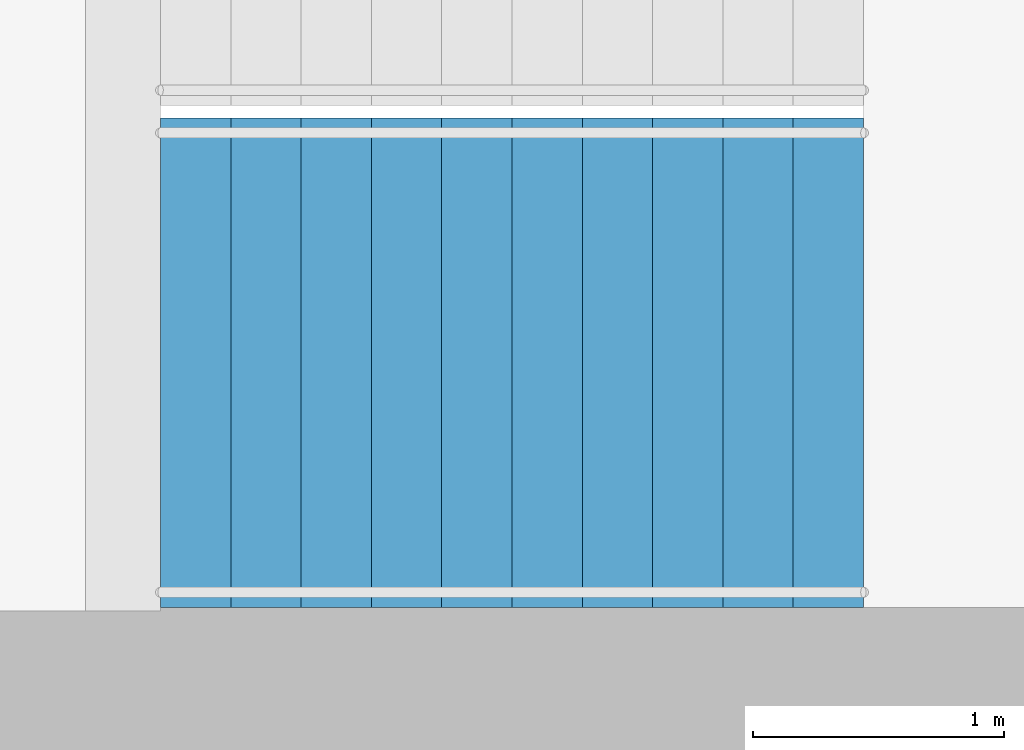
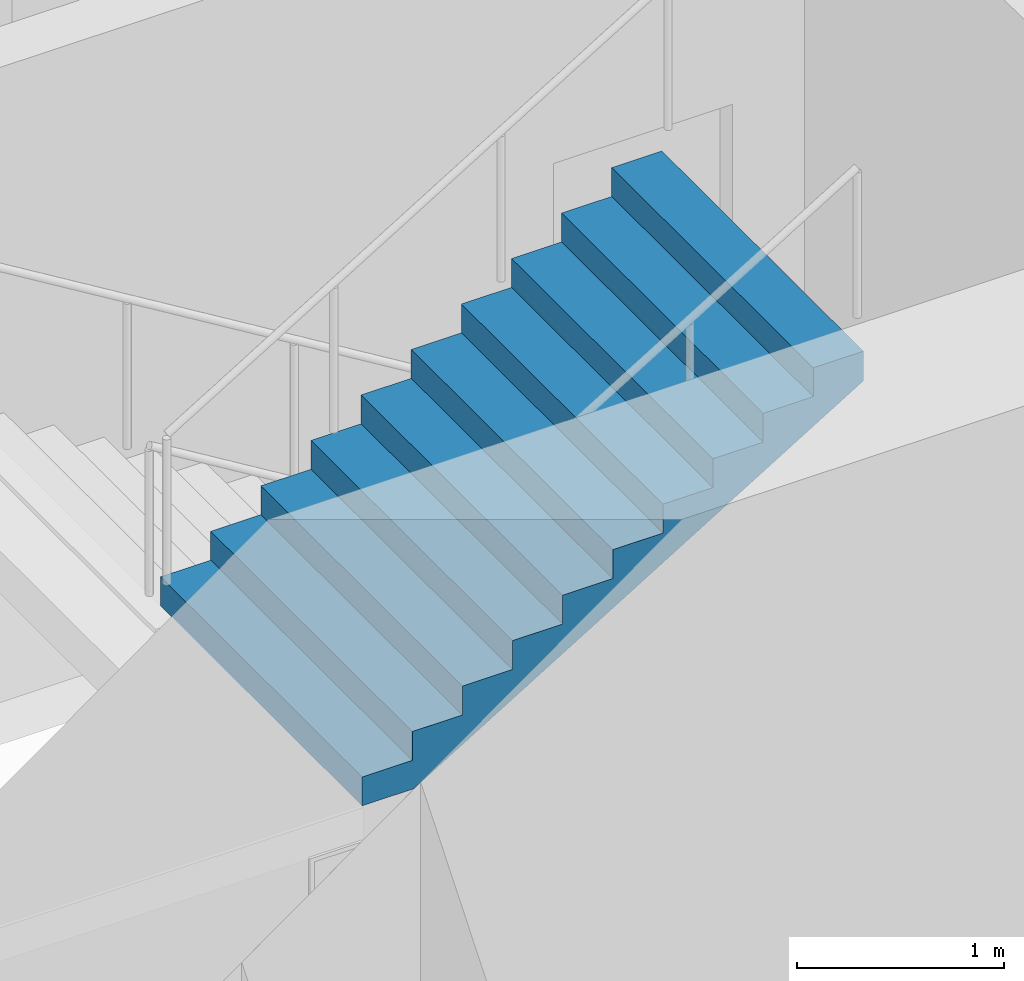
# One storey, part 22 of 24: 1 stair flight, 1 element without a shape of its own.
"""IFC4 building model written with IfcOpenShell, lengths in metres."""

from ifc_helpers import new_model, si_unit, direction, frame, origin, place, context, subcontext, project, spatial, triangles, material, type_object, element, aggregate, save


model = new_model("IFC4")

# Units and contexts
model_context = context("Model", 3, precision=1e-05, world=origin(), true_north=direction((0.0, 1.0)))
body_context = subcontext(model_context, "Body", "Model", "MODEL_VIEW")
ifc_project = project(units=[si_unit("LENGTHUNIT", "METRE"), si_unit("AREAUNIT", "SQUARE_METRE"), si_unit("VOLUMEUNIT", "CUBIC_METRE"), si_unit("PLANEANGLEUNIT", "RADIAN"), si_unit("MASSUNIT", "GRAM", prefix="KILO")], contexts=[model_context])

# Site, building, storey
site_placement = place(None, origin())
site = spatial("IfcSite", under=ifc_project, at=site_placement, CompositionType="ELEMENT")
building_placement = place(site_placement, origin())
building = spatial("IfcBuilding", under=site, at=building_placement, Name="Orbita Commons", CompositionType="ELEMENT")
storey_placement = place(building_placement, frame((0.0, 0.0, 27.699951171875)))
storey = spatial("IfcBuildingStorey", under=building, at=storey_placement, Name="L06", CompositionType="ELEMENT", Elevation=27.699951171875)

# Stair, stair flight
ifc_material_1 = material(Name="Precast concrete C40/50", Category="concrete")
stair_type = type_object("IfcStairType", Name="Exit stair S2 2 flights 11 risers 170", PredefinedType="HALF_TURN_STAIR", material=ifc_material_1)
stair_placement = place(storey_placement, origin())
stair = element("IfcStair", 1, at=stair_placement, inside=storey, type_object=stair_type, Name="Exit stair S2 L06", PredefinedType="HALF_TURN_STAIR")
ifc_material_2 = material(Name="Precast concrete C40/50", Category="concrete")
stair_flight_type = type_object("IfcStairFlightType", Name="Stair flight 11 risers 170 x 280", PredefinedType="STRAIGHT", material=ifc_material_2)
stair_flight_placement = place(storey_placement, frame((60.75, 27.27490234375, 1.875), z_axis=(0.0, 0.0, 1.0), x_axis=(1.0, 0.0, 0.0)))
stair_flight = element("IfcStairFlight", 2, at=stair_flight_placement, type_object=stair_flight_type, Name="S2 flight 2", NumberOfRisers=11, NumberOfTreads=10, PredefinedType="STRAIGHT", RiserHeight=0.170454545, TreadLength=0.28, context=body_context, shape_type="Tessellation", body=[
    triangles([(0.0, 0.974976, 0.0), (0.0, 0.974976, 0.021307), (0.0, 0.81248, 0.021307), (0.0, 0.81248, 0.0), (0.0, 0.649984, 0.021307), (0.0, 0.649984, 0.0), (0.0, 0.487488, 0.021307), (0.0, 0.487488, 0.0), (0.0, 0.324992, 0.021307), (0.0, 0.324992, 0.0), (0.0, 0.162496, 0.021307), (0.0, 0.162496, 0.0), (0.0, 0.0, 0.021307), (0.0, 0.0, 0.0), (0.0, -0.162496, 0.021307), (0.0, -0.162496, 0.0), (0.0, -0.324992, 0.021307), (0.0, -0.324992, 0.0), (0.0, -0.487488, 0.021307), (0.0, -0.487488, 0.0), (0.0, -0.649984, 0.021307), (0.0, -0.649984, 0.0), (0.0, -0.81248, 0.021307), (0.0, -0.81248, 0.0), (0.0, -0.974976, 0.021307), (0.0, -0.974976, 0.0), (0.0, 0.974976, 0.042614), (0.0, 0.81248, 0.042614), (0.0, 0.649984, 0.042614), (0.0, 0.487488, 0.042614), (0.0, 0.324992, 0.042614), (0.0, 0.162496, 0.042614), (0.0, 0.0, 0.042614), (0.0, -0.162496, 0.042614), (0.0, -0.324992, 0.042614), (0.0, -0.487488, 0.042614), (0.0, -0.649984, 0.042614), (0.0, -0.81248, 0.042614), (0.0, -0.974976, 0.042614), (0.0, 0.974976, 0.06392), (0.0, 0.81248, 0.06392), (0.0, 0.649984, 0.06392), (0.0, 0.487488, 0.06392), (0.0, 0.324992, 0.06392), (0.0, 0.162496, 0.06392), (0.0, 0.0, 0.06392), (0.0, -0.162496, 0.06392), (0.0, -0.324992, 0.06392), (0.0, -0.487488, 0.06392), (0.0, -0.649984, 0.06392), (0.0, -0.81248, 0.06392), (0.0, -0.974976, 0.06392), (0.0, 0.974976, 0.085227), (0.0, 0.81248, 0.085227), (0.0, 0.649984, 0.085227), (0.0, 0.487488, 0.085227), (0.0, 0.324992, 0.085227), (0.0, 0.162496, 0.085227), (0.0, 0.0, 0.085227), (0.0, -0.162496, 0.085227), (0.0, -0.324992, 0.085227), (0.0, -0.487488, 0.085227), (0.0, -0.649984, 0.085227), (0.0, -0.81248, 0.085227), (0.0, -0.974976, 0.085227), (0.0, 0.974976, 0.106534), (0.0, 0.81248, 0.106534), (0.0, 0.649984, 0.106534), (0.0, 0.487488, 0.106534), (0.0, 0.324992, 0.106534), (0.0, 0.162496, 0.106534), (0.0, 0.0, 0.106534), (0.0, -0.162496, 0.106534), (0.0, -0.324992, 0.106534), (0.0, -0.487488, 0.106534), (0.0, -0.649984, 0.106534), (0.0, -0.81248, 0.106534), (0.0, -0.974976, 0.106534), (0.0, 0.974976, 0.127841), (0.0, 0.81248, 0.127841), (0.0, 0.649984, 0.127841), (0.0, 0.487488, 0.127841), (0.0, 0.324992, 0.127841), (0.0, 0.162496, 0.127841), (0.0, 0.0, 0.127841), (0.0, -0.162496, 0.127841), (0.0, -0.324992, 0.127841), (0.0, -0.487488, 0.127841), (0.0, -0.649984, 0.127841), (0.0, -0.81248, 0.127841), (0.0, -0.974976, 0.127841), (0.0, 0.974976, 0.149148), (0.0, 0.81248, 0.149148), (0.0, 0.649984, 0.149148), (0.0, 0.487488, 0.149148), (0.0, 0.324992, 0.149148), (0.0, 0.162496, 0.149148), (0.0, 0.0, 0.149148), (0.0, -0.162496, 0.149148), (0.0, -0.324992, 0.149148), (0.0, -0.487488, 0.149148), (0.0, -0.649984, 0.149148), (0.0, -0.81248, 0.149148), (0.0, -0.974976, 0.149148), (0.0, 0.974976, 0.170455), (0.0, 0.81248, 0.170455), (0.0, 0.649984, 0.170455), (0.0, 0.487488, 0.170455), (0.0, 0.324992, 0.170455), (0.0, 0.162496, 0.170455), (0.0, 0.0, 0.170455), (0.0, -0.162496, 0.170455), (0.0, -0.324992, 0.170455), (0.0, -0.487488, 0.170455), (0.0, -0.649984, 0.170455), (0.0, -0.81248, 0.170455), (0.0, -0.974976, 0.170455), (0.28, 0.974976, 0.170455), (0.28, 0.81248, 0.170455), (0.28, 0.649984, 0.170455), (0.28, 0.487488, 0.170455), (0.28, 0.324992, 0.170455), (0.28, 0.162496, 0.170455), (0.28, 0.0, 0.170455), (0.28, -0.162496, 0.170455), (0.28, -0.324992, 0.170455), (0.28, -0.487488, 0.170455), (0.28, -0.649984, 0.170455), (0.28, -0.81248, 0.170455), (0.28, -0.974976, 0.170455), (0.28, 0.974976, 0.340909), (0.28, 0.81248, 0.340909), (0.28, 0.649984, 0.340909), (0.28, 0.487488, 0.340909), (0.28, 0.324992, 0.340909), (0.28, 0.162496, 0.340909), (0.28, 0.0, 0.340909), (0.28, -0.162496, 0.340909), (0.28, -0.324992, 0.340909), (0.28, -0.487488, 0.340909), (0.28, -0.649984, 0.340909), (0.28, -0.81248, 0.340909), (0.28, -0.974976, 0.340909), (0.56, 0.974976, 0.340909), (0.56, 0.81248, 0.340909), (0.56, 0.649984, 0.340909), (0.56, 0.487488, 0.340909), (0.56, 0.324992, 0.340909), (0.56, 0.162496, 0.340909), (0.56, 0.0, 0.340909), (0.56, -0.162496, 0.340909), (0.56, -0.324992, 0.340909), (0.56, -0.487488, 0.340909), (0.56, -0.649984, 0.340909), (0.56, -0.81248, 0.340909), (0.56, -0.974976, 0.340909), (0.56, 0.974976, 0.511364), (0.56, 0.81248, 0.511364), (0.56, 0.649984, 0.511364), (0.56, 0.487488, 0.511364), (0.56, 0.324992, 0.511364), (0.56, 0.162496, 0.511364), (0.56, 0.0, 0.511364), (0.56, -0.162496, 0.511364), (0.56, -0.324992, 0.511364), (0.56, -0.487488, 0.511364), (0.56, -0.649984, 0.511364), (0.56, -0.81248, 0.511364), (0.56, -0.974976, 0.511364), (0.84, 0.974976, 0.511364), (0.84, 0.81248, 0.511364), (0.84, 0.649984, 0.511364), (0.84, 0.487488, 0.511364), (0.84, 0.324992, 0.511364), (0.84, 0.162496, 0.511364), (0.84, 0.0, 0.511364), (0.84, -0.162496, 0.511364), (0.84, -0.324992, 0.511364), (0.84, -0.487488, 0.511364), (0.84, -0.649984, 0.511364), (0.84, -0.81248, 0.511364), (0.84, -0.974976, 0.511364), (0.84, 0.974976, 0.681818), (0.84, 0.81248, 0.681818), (0.84, 0.649984, 0.681818), (0.84, 0.487488, 0.681818), (0.84, 0.324992, 0.681818), (0.84, 0.162496, 0.681818), (0.84, 0.0, 0.681818), (0.84, -0.162496, 0.681818), (0.84, -0.324992, 0.681818), (0.84, -0.487488, 0.681818), (0.84, -0.649984, 0.681818), (0.84, -0.81248, 0.681818), (0.84, -0.974976, 0.681818), (1.12, 0.974976, 0.681818), (1.12, 0.81248, 0.681818), (1.12, 0.649984, 0.681818), (1.12, 0.487488, 0.681818), (1.12, 0.324992, 0.681818), (1.12, 0.162496, 0.681818), (1.12, 0.0, 0.681818), (1.12, -0.162496, 0.681818), (1.12, -0.324992, 0.681818), (1.12, -0.487488, 0.681818), (1.12, -0.649984, 0.681818), (1.12, -0.81248, 0.681818), (1.12, -0.974976, 0.681818), (1.12, 0.974976, 0.852273), (1.12, 0.81248, 0.852273), (1.12, 0.649984, 0.852273), (1.12, 0.487488, 0.852273), (1.12, 0.324992, 0.852273), (1.12, 0.162496, 0.852273), (1.12, 0.0, 0.852273), (1.12, -0.162496, 0.852273), (1.12, -0.324992, 0.852273), (1.12, -0.487488, 0.852273), (1.12, -0.649984, 0.852273), (1.12, -0.81248, 0.852273), (1.12, -0.974976, 0.852273), (1.4, 0.974976, 0.852273), (1.4, 0.81248, 0.852273), (1.4, 0.649984, 0.852273), (1.4, 0.487488, 0.852273), (1.4, 0.324992, 0.852273), (1.4, 0.162496, 0.852273), (1.4, 0.0, 0.852273), (1.4, -0.162496, 0.852273), (1.4, -0.324992, 0.852273), (1.4, -0.487488, 0.852273), (1.4, -0.649984, 0.852273), (1.4, -0.81248, 0.852273), (1.4, -0.974976, 0.852273), (1.4, 0.974976, 1.022727), (1.4, 0.81248, 1.022727), (1.4, 0.649984, 1.022727), (1.4, 0.487488, 1.022727), (1.4, 0.324992, 1.022727), (1.4, 0.162496, 1.022727), (1.4, 0.0, 1.022727), (1.4, -0.162496, 1.022727), (1.4, -0.324992, 1.022727), (1.4, -0.487488, 1.022727), (1.4, -0.649984, 1.022727), (1.4, -0.81248, 1.022727), (1.4, -0.974976, 1.022727), (1.68, 0.974976, 1.022727), (1.68, 0.81248, 1.022727), (1.68, 0.649984, 1.022727), (1.68, 0.487488, 1.022727), (1.68, 0.324992, 1.022727), (1.68, 0.162496, 1.022727), (1.68, 0.0, 1.022727), (1.68, -0.162496, 1.022727), (1.68, -0.324992, 1.022727), (1.68, -0.487488, 1.022727), (1.68, -0.649984, 1.022727), (1.68, -0.81248, 1.022727), (1.68, -0.974976, 1.022727), (1.68, 0.974976, 1.193182), (1.68, 0.81248, 1.193182), (1.68, 0.649984, 1.193182), (1.68, 0.487488, 1.193182), (1.68, 0.324992, 1.193182), (1.68, 0.162496, 1.193182), (1.68, 0.0, 1.193182), (1.68, -0.162496, 1.193182), (1.68, -0.324992, 1.193182), (1.68, -0.487488, 1.193182), (1.68, -0.649984, 1.193182), (1.68, -0.81248, 1.193182), (1.68, -0.974976, 1.193182), (1.96, 0.974976, 1.193182), (1.96, 0.81248, 1.193182), (1.96, 0.649984, 1.193182), (1.96, 0.487488, 1.193182), (1.96, 0.324992, 1.193182), (1.96, 0.162496, 1.193182), (1.96, 0.0, 1.193182), (1.96, -0.162496, 1.193182), (1.96, -0.324992, 1.193182), (1.96, -0.487488, 1.193182), (1.96, -0.649984, 1.193182), (1.96, -0.81248, 1.193182), (1.96, -0.974976, 1.193182), (1.96, 0.974976, 1.363636), (1.96, 0.81248, 1.363636), (1.96, 0.649984, 1.363636), (1.96, 0.487488, 1.363636), (1.96, 0.324992, 1.363636), (1.96, 0.162496, 1.363636), (1.96, 0.0, 1.363636), (1.96, -0.162496, 1.363636), (1.96, -0.324992, 1.363636), (1.96, -0.487488, 1.363636), (1.96, -0.649984, 1.363636), (1.96, -0.81248, 1.363636), (1.96, -0.974976, 1.363636), (2.24, 0.974976, 1.363636), (2.24, 0.81248, 1.363636), (2.24, 0.649984, 1.363636), (2.24, 0.487488, 1.363636), (2.24, 0.324992, 1.363636), (2.24, 0.162496, 1.363636), (2.24, 0.0, 1.363636), (2.24, -0.162496, 1.363636), (2.24, -0.324992, 1.363636), (2.24, -0.487488, 1.363636), (2.24, -0.649984, 1.363636), (2.24, -0.81248, 1.363636), (2.24, -0.974976, 1.363636), (2.24, 0.974976, 1.534091), (2.24, 0.81248, 1.534091), (2.24, 0.649984, 1.534091), (2.24, 0.487488, 1.534091), (2.24, 0.324992, 1.534091), (2.24, 0.162496, 1.534091), (2.24, 0.0, 1.534091), (2.24, -0.162496, 1.534091), (2.24, -0.324992, 1.534091), (2.24, -0.487488, 1.534091), (2.24, -0.649984, 1.534091), (2.24, -0.81248, 1.534091), (2.24, -0.974976, 1.534091), (2.52, 0.974976, 1.534091), (2.52, 0.81248, 1.534091), (2.52, 0.649984, 1.534091), (2.52, 0.487488, 1.534091), (2.52, 0.324992, 1.534091), (2.52, 0.162496, 1.534091), (2.52, 0.0, 1.534091), (2.52, -0.162496, 1.534091), (2.52, -0.324992, 1.534091), (2.52, -0.487488, 1.534091), (2.52, -0.649984, 1.534091), (2.52, -0.81248, 1.534091), (2.52, -0.974976, 1.534091), (2.52, 0.974976, 1.704545), (2.52, 0.81248, 1.704545), (2.52, 0.649984, 1.704545), (2.52, 0.487488, 1.704545), (2.52, 0.324992, 1.704545), (2.52, 0.162496, 1.704545), (2.52, 0.0, 1.704545), (2.52, -0.162496, 1.704545), (2.52, -0.324992, 1.704545), (2.52, -0.487488, 1.704545), (2.52, -0.649984, 1.704545), (2.52, -0.81248, 1.704545), (2.52, -0.974976, 1.704545), (2.8, 0.974976, 1.704545), (2.8, 0.81248, 1.704545), (2.8, 0.649984, 1.704545), (2.8, 0.487488, 1.704545), (2.8, 0.324992, 1.704545), (2.8, 0.162496, 1.704545), (2.8, 0.0, 1.704545), (2.8, -0.162496, 1.704545), (2.8, -0.324992, 1.704545), (2.8, -0.487488, 1.704545), (2.8, -0.649984, 1.704545), (2.8, -0.81248, 1.704545), (2.8, -0.974976, 1.704545), (2.8, 0.974976, 1.682609), (2.8, 0.81248, 1.682609), (2.8, 0.649984, 1.682609), (2.8, 0.487488, 1.682609), (2.8, 0.324992, 1.682609), (2.8, 0.162496, 1.682609), (2.8, 0.0, 1.682609), (2.8, -0.162496, 1.682609), (2.8, -0.324992, 1.682609), (2.8, -0.487488, 1.682609), (2.8, -0.649984, 1.682609), (2.8, -0.81248, 1.682609), (2.8, -0.974976, 1.682609), (2.8, 0.974976, 1.660672), (2.8, 0.81248, 1.660672), (2.8, 0.649984, 1.660672), (2.8, 0.487488, 1.660672), (2.8, 0.324992, 1.660672), (2.8, 0.162496, 1.660672), (2.8, 0.0, 1.660672), (2.8, -0.162496, 1.660672), (2.8, -0.324992, 1.660672), (2.8, -0.487488, 1.660672), (2.8, -0.649984, 1.660672), (2.8, -0.81248, 1.660672), (2.8, -0.974976, 1.660672), (2.8, 0.974976, 1.638735), (2.8, 0.81248, 1.638735), (2.8, 0.649984, 1.638735), (2.8, 0.487488, 1.638735), (2.8, 0.324992, 1.638735), (2.8, 0.162496, 1.638735), (2.8, 0.0, 1.638735), (2.8, -0.162496, 1.638735), (2.8, -0.324992, 1.638735), (2.8, -0.487488, 1.638735), (2.8, -0.649984, 1.638735), (2.8, -0.81248, 1.638735), (2.8, -0.974976, 1.638735), (2.8, 0.974976, 1.616798), (2.8, 0.81248, 1.616798), (2.8, 0.649984, 1.616798), (2.8, 0.487488, 1.616798), (2.8, 0.324992, 1.616798), (2.8, 0.162496, 1.616798), (2.8, 0.0, 1.616798), (2.8, -0.162496, 1.616798), (2.8, -0.324992, 1.616798), (2.8, -0.487488, 1.616798), (2.8, -0.649984, 1.616798), (2.8, -0.81248, 1.616798), (2.8, -0.974976, 1.616798), (2.8, 0.974976, 1.594861), (2.8, 0.81248, 1.594861), (2.8, 0.649984, 1.594861), (2.8, 0.487488, 1.594861), (2.8, 0.324992, 1.594861), (2.8, 0.162496, 1.594861), (2.8, 0.0, 1.594861), (2.8, -0.162496, 1.594861), (2.8, -0.324992, 1.594861), (2.8, -0.487488, 1.594861), (2.8, -0.649984, 1.594861), (2.8, -0.81248, 1.594861), (2.8, -0.974976, 1.594861), (2.8, 0.974976, 1.572925), (2.8, 0.81248, 1.572925), (2.8, 0.649984, 1.572925), (2.8, 0.487488, 1.572925), (2.8, 0.324992, 1.572925), (2.8, 0.162496, 1.572925), (2.8, 0.0, 1.572925), (2.8, -0.162496, 1.572925), (2.8, -0.324992, 1.572925), (2.8, -0.487488, 1.572925), (2.8, -0.649984, 1.572925), (2.8, -0.81248, 1.572925), (2.8, -0.974976, 1.572925), (2.8, 0.974976, 1.550988), (2.8, 0.81248, 1.550988), (2.8, 0.649984, 1.550988), (2.8, 0.487488, 1.550988), (2.8, 0.324992, 1.550988), (2.8, 0.162496, 1.550988), (2.8, 0.0, 1.550988), (2.8, -0.162496, 1.550988), (2.8, -0.324992, 1.550988), (2.8, -0.487488, 1.550988), (2.8, -0.649984, 1.550988), (2.8, -0.81248, 1.550988), (2.8, -0.974976, 1.550988), (2.8, 0.974976, 1.529051), (2.8, 0.81248, 1.529051), (2.8, 0.649984, 1.529051), (2.8, 0.487488, 1.529051), (2.8, 0.324992, 1.529051), (2.8, 0.162496, 1.529051), (2.8, 0.0, 1.529051), (2.8, -0.162496, 1.529051), (2.8, -0.324992, 1.529051), (2.8, -0.487488, 1.529051), (2.8, -0.649984, 1.529051), (2.8, -0.81248, 1.529051), (2.8, -0.974976, 1.529051), (0.288279, 0.974976, 0.0), (0.288279, 0.81248, 0.0), (0.288279, 0.649984, 0.0), (0.288279, 0.487488, 0.0), (0.288279, 0.324992, 0.0), (0.288279, 0.162496, 0.0), (0.288279, 0.0, 0.0), (0.288279, -0.162496, 0.0), (0.288279, -0.324992, 0.0), (0.288279, -0.487488, 0.0), (0.288279, -0.649984, 0.0), (0.288279, -0.81248, 0.0), (0.288279, -0.974976, 0.0)], [[3, 2, 1], [4, 3, 1], [5, 3, 4], [6, 5, 4], [7, 5, 6], [8, 7, 6], [9, 7, 8], [10, 9, 8], [11, 9, 10], [12, 11, 10], [13, 11, 12], [14, 13, 12], [15, 13, 14], [16, 15, 14], [17, 15, 16], [18, 17, 16], [19, 17, 18], [20, 19, 18], [21, 19, 20], [22, 21, 20], [23, 21, 22], [24, 23, 22], [25, 23, 24], [26, 25, 24], [28, 27, 2], [3, 28, 2], [29, 28, 3], [5, 29, 3], [30, 29, 5], [7, 30, 5], [31, 30, 7], [9, 31, 7], [32, 31, 9], [11, 32, 9], [33, 32, 11], [13, 33, 11], [34, 33, 13], [15, 34, 13], [35, 34, 15], [17, 35, 15], [36, 35, 17], [19, 36, 17], [37, 36, 19], [21, 37, 19], [38, 37, 21], [23, 38, 21], [39, 38, 23], [25, 39, 23], [41, 40, 27], [28, 41, 27], [42, 41, 28], [29, 42, 28], [43, 42, 29], [30, 43, 29], [44, 43, 30], [31, 44, 30], [45, 44, 31], [32, 45, 31], [46, 45, 32], [33, 46, 32], [47, 46, 33], [34, 47, 33], [48, 47, 34], [35, 48, 34], [49, 48, 35], [36, 49, 35], [50, 49, 36], [37, 50, 36], [51, 50, 37], [38, 51, 37], [52, 51, 38], [39, 52, 38], [54, 53, 40], [41, 54, 40], [55, 54, 41], [42, 55, 41], [56, 55, 42], [43, 56, 42], [57, 56, 43], [44, 57, 43], [58, 57, 44], [45, 58, 44], [59, 58, 45], [46, 59, 45], [60, 59, 46], [47, 60, 46], [61, 60, 47], [48, 61, 47], [62, 61, 48], [49, 62, 48], [63, 62, 49], [50, 63, 49], [64, 63, 50], [51, 64, 50], [65, 64, 51], [52, 65, 51], [67, 66, 53], [54, 67, 53], [68, 67, 54], [55, 68, 54], [69, 68, 55], [56, 69, 55], [70, 69, 56], [57, 70, 56], [71, 70, 57], [58, 71, 57], [72, 71, 58], [59, 72, 58], [73, 72, 59], [60, 73, 59], [74, 73, 60], [61, 74, 60], [75, 74, 61], [62, 75, 61], [76, 75, 62], [63, 76, 62], [77, 76, 63], [64, 77, 63], [78, 77, 64], [65, 78, 64], [80, 79, 66], [67, 80, 66], [81, 80, 67], [68, 81, 67], [82, 81, 68], [69, 82, 68], [83, 82, 69], [70, 83, 69], [84, 83, 70], [71, 84, 70], [85, 84, 71], [72, 85, 71], [86, 85, 72], [73, 86, 72], [87, 86, 73], [74, 87, 73], [88, 87, 74], [75, 88, 74], [89, 88, 75], [76, 89, 75], [90, 89, 76], [77, 90, 76], [91, 90, 77], [78, 91, 77], [93, 92, 79], [80, 93, 79], [94, 93, 80], [81, 94, 80], [95, 94, 81], [82, 95, 81], [96, 95, 82], [83, 96, 82], [97, 96, 83], [84, 97, 83], [98, 97, 84], [85, 98, 84], [99, 98, 85], [86, 99, 85], [100, 99, 86], [87, 100, 86], [101, 100, 87], [88, 101, 87], [102, 101, 88], [89, 102, 88], [103, 102, 89], [90, 103, 89], [104, 103, 90], [91, 104, 90], [106, 105, 92], [93, 106, 92], [107, 106, 93], [94, 107, 93], [108, 107, 94], [95, 108, 94], [109, 108, 95], [96, 109, 95], [110, 109, 96], [97, 110, 96], [111, 110, 97], [98, 111, 97], [112, 111, 98], [99, 112, 98], [113, 112, 99], [100, 113, 99], [114, 113, 100], [101, 114, 100], [115, 114, 101], [102, 115, 101], [116, 115, 102], [103, 116, 102], [117, 116, 103], [104, 117, 103], [119, 118, 105], [106, 119, 105], [120, 119, 106], [107, 120, 106], [121, 120, 107], [108, 121, 107], [122, 121, 108], [109, 122, 108], [123, 122, 109], [110, 123, 109], [124, 123, 110], [111, 124, 110], [125, 124, 111], [112, 125, 111], [126, 125, 112], [113, 126, 112], [127, 126, 113], [114, 127, 113], [128, 127, 114], [115, 128, 114], [129, 128, 115], [116, 129, 115], [130, 129, 116], [117, 130, 116], [132, 131, 118], [119, 132, 118], [133, 132, 119], [120, 133, 119], [134, 133, 120], [121, 134, 120], [135, 134, 121], [122, 135, 121], [136, 135, 122], [123, 136, 122], [137, 136, 123], [124, 137, 123], [138, 137, 124], [125, 138, 124], [139, 138, 125], [126, 139, 125], [140, 139, 126], [127, 140, 126], [141, 140, 127], [128, 141, 127], [142, 141, 128], [129, 142, 128], [143, 142, 129], [130, 143, 129], [145, 144, 131], [132, 145, 131], [146, 145, 132], [133, 146, 132], [147, 146, 133], [134, 147, 133], [148, 147, 134], [135, 148, 134], [149, 148, 135], [136, 149, 135], [150, 149, 136], [137, 150, 136], [151, 150, 137], [138, 151, 137], [152, 151, 138], [139, 152, 138], [153, 152, 139], [140, 153, 139], [154, 153, 140], [141, 154, 140], [155, 154, 141], [142, 155, 141], [156, 155, 142], [143, 156, 142], [158, 157, 144], [145, 158, 144], [159, 158, 145], [146, 159, 145], [160, 159, 146], [147, 160, 146], [161, 160, 147], [148, 161, 147], [162, 161, 148], [149, 162, 148], [163, 162, 149], [150, 163, 149], [164, 163, 150], [151, 164, 150], [165, 164, 151], [152, 165, 151], [166, 165, 152], [153, 166, 152], [167, 166, 153], [154, 167, 153], [168, 167, 154], [155, 168, 154], [169, 168, 155], [156, 169, 155], [171, 170, 157], [158, 171, 157], [172, 171, 158], [159, 172, 158], [173, 172, 159], [160, 173, 159], [174, 173, 160], [161, 174, 160], [175, 174, 161], [162, 175, 161], [176, 175, 162], [163, 176, 162], [177, 176, 163], [164, 177, 163], [178, 177, 164], [165, 178, 164], [179, 178, 165], [166, 179, 165], [180, 179, 166], [167, 180, 166], [181, 180, 167], [168, 181, 167], [182, 181, 168], [169, 182, 168], [184, 183, 170], [171, 184, 170], [185, 184, 171], [172, 185, 171], [186, 185, 172], [173, 186, 172], [187, 186, 173], [174, 187, 173], [188, 187, 174], [175, 188, 174], [189, 188, 175], [176, 189, 175], [190, 189, 176], [177, 190, 176], [191, 190, 177], [178, 191, 177], [192, 191, 178], [179, 192, 178], [193, 192, 179], [180, 193, 179], [194, 193, 180], [181, 194, 180], [195, 194, 181], [182, 195, 181], [197, 196, 183], [184, 197, 183], [198, 197, 184], [185, 198, 184], [199, 198, 185], [186, 199, 185], [200, 199, 186], [187, 200, 186], [201, 200, 187], [188, 201, 187], [202, 201, 188], [189, 202, 188], [203, 202, 189], [190, 203, 189], [204, 203, 190], [191, 204, 190], [205, 204, 191], [192, 205, 191], [206, 205, 192], [193, 206, 192], [207, 206, 193], [194, 207, 193], [208, 207, 194], [195, 208, 194], [210, 209, 196], [197, 210, 196], [211, 210, 197], [198, 211, 197], [212, 211, 198], [199, 212, 198], [213, 212, 199], [200, 213, 199], [214, 213, 200], [201, 214, 200], [215, 214, 201], [202, 215, 201], [216, 215, 202], [203, 216, 202], [217, 216, 203], [204, 217, 203], [218, 217, 204], [205, 218, 204], [219, 218, 205], [206, 219, 205], [220, 219, 206], [207, 220, 206], [221, 220, 207], [208, 221, 207], [223, 222, 209], [210, 223, 209], [224, 223, 210], [211, 224, 210], [225, 224, 211], [212, 225, 211], [226, 225, 212], [213, 226, 212], [227, 226, 213], [214, 227, 213], [228, 227, 214], [215, 228, 214], [229, 228, 215], [216, 229, 215], [230, 229, 216], [217, 230, 216], [231, 230, 217], [218, 231, 217], [232, 231, 218], [219, 232, 218], [233, 232, 219], [220, 233, 219], [234, 233, 220], [221, 234, 220], [236, 235, 222], [223, 236, 222], [237, 236, 223], [224, 237, 223], [238, 237, 224], [225, 238, 224], [239, 238, 225], [226, 239, 225], [240, 239, 226], [227, 240, 226], [241, 240, 227], [228, 241, 227], [242, 241, 228], [229, 242, 228], [243, 242, 229], [230, 243, 229], [244, 243, 230], [231, 244, 230], [245, 244, 231], [232, 245, 231], [246, 245, 232], [233, 246, 232], [247, 246, 233], [234, 247, 233], [249, 248, 235], [236, 249, 235], [250, 249, 236], [237, 250, 236], [251, 250, 237], [238, 251, 237], [252, 251, 238], [239, 252, 238], [253, 252, 239], [240, 253, 239], [254, 253, 240], [241, 254, 240], [255, 254, 241], [242, 255, 241], [256, 255, 242], [243, 256, 242], [257, 256, 243], [244, 257, 243], [258, 257, 244], [245, 258, 244], [259, 258, 245], [246, 259, 245], [260, 259, 246], [247, 260, 246], [262, 261, 248], [249, 262, 248], [263, 262, 249], [250, 263, 249], [264, 263, 250], [251, 264, 250], [265, 264, 251], [252, 265, 251], [266, 265, 252], [253, 266, 252], [267, 266, 253], [254, 267, 253], [268, 267, 254], [255, 268, 254], [269, 268, 255], [256, 269, 255], [270, 269, 256], [257, 270, 256], [271, 270, 257], [258, 271, 257], [272, 271, 258], [259, 272, 258], [273, 272, 259], [260, 273, 259], [275, 274, 261], [262, 275, 261], [276, 275, 262], [263, 276, 262], [277, 276, 263], [264, 277, 263], [278, 277, 264], [265, 278, 264], [279, 278, 265], [266, 279, 265], [280, 279, 266], [267, 280, 266], [281, 280, 267], [268, 281, 267], [282, 281, 268], [269, 282, 268], [283, 282, 269], [270, 283, 269], [284, 283, 270], [271, 284, 270], [285, 284, 271], [272, 285, 271], [286, 285, 272], [273, 286, 272], [288, 287, 274], [275, 288, 274], [289, 288, 275], [276, 289, 275], [290, 289, 276], [277, 290, 276], [291, 290, 277], [278, 291, 277], [292, 291, 278], [279, 292, 278], [293, 292, 279], [280, 293, 279], [294, 293, 280], [281, 294, 280], [295, 294, 281], [282, 295, 281], [296, 295, 282], [283, 296, 282], [297, 296, 283], [284, 297, 283], [298, 297, 284], [285, 298, 284], [299, 298, 285], [286, 299, 285], [301, 300, 287], [288, 301, 287], [302, 301, 288], [289, 302, 288], [303, 302, 289], [290, 303, 289], [304, 303, 290], [291, 304, 290], [305, 304, 291], [292, 305, 291], [306, 305, 292], [293, 306, 292], [307, 306, 293], [294, 307, 293], [308, 307, 294], [295, 308, 294], [309, 308, 295], [296, 309, 295], [310, 309, 296], [297, 310, 296], [311, 310, 297], [298, 311, 297], [312, 311, 298], [299, 312, 298], [314, 313, 300], [301, 314, 300], [315, 314, 301], [302, 315, 301], [316, 315, 302], [303, 316, 302], [317, 316, 303], [304, 317, 303], [318, 317, 304], [305, 318, 304], [319, 318, 305], [306, 319, 305], [320, 319, 306], [307, 320, 306], [321, 320, 307], [308, 321, 307], [322, 321, 308], [309, 322, 308], [323, 322, 309], [310, 323, 309], [324, 323, 310], [311, 324, 310], [325, 324, 311], [312, 325, 311], [327, 326, 313], [314, 327, 313], [328, 327, 314], [315, 328, 314], [329, 328, 315], [316, 329, 315], [330, 329, 316], [317, 330, 316], [331, 330, 317], [318, 331, 317], [332, 331, 318], [319, 332, 318], [333, 332, 319], [320, 333, 319], [334, 333, 320], [321, 334, 320], [335, 334, 321], [322, 335, 321], [336, 335, 322], [323, 336, 322], [337, 336, 323], [324, 337, 323], [338, 337, 324], [325, 338, 324], [340, 339, 326], [327, 340, 326], [341, 340, 327], [328, 341, 327], [342, 341, 328], [329, 342, 328], [343, 342, 329], [330, 343, 329], [344, 343, 330], [331, 344, 330], [345, 344, 331], [332, 345, 331], [346, 345, 332], [333, 346, 332], [347, 346, 333], [334, 347, 333], [348, 347, 334], [335, 348, 334], [349, 348, 335], [336, 349, 335], [350, 349, 336], [337, 350, 336], [351, 350, 337], [338, 351, 337], [353, 352, 339], [340, 353, 339], [354, 353, 340], [341, 354, 340], [355, 354, 341], [342, 355, 341], [356, 355, 342], [343, 356, 342], [357, 356, 343], [344, 357, 343], [358, 357, 344], [345, 358, 344], [359, 358, 345], [346, 359, 345], [360, 359, 346], [347, 360, 346], [361, 360, 347], [348, 361, 347], [362, 361, 348], [349, 362, 348], [363, 362, 349], [350, 363, 349], [364, 363, 350], [351, 364, 350], [366, 365, 352], [353, 366, 352], [367, 366, 353], [354, 367, 353], [368, 367, 354], [355, 368, 354], [369, 368, 355], [356, 369, 355], [370, 369, 356], [357, 370, 356], [371, 370, 357], [358, 371, 357], [372, 371, 358], [359, 372, 358], [373, 372, 359], [360, 373, 359], [374, 373, 360], [361, 374, 360], [375, 374, 361], [362, 375, 361], [376, 375, 362], [363, 376, 362], [377, 376, 363], [364, 377, 363], [379, 378, 365], [366, 379, 365], [380, 379, 366], [367, 380, 366], [381, 380, 367], [368, 381, 367], [382, 381, 368], [369, 382, 368], [383, 382, 369], [370, 383, 369], [384, 383, 370], [371, 384, 370], [385, 384, 371], [372, 385, 371], [386, 385, 372], [373, 386, 372], [387, 386, 373], [374, 387, 373], [388, 387, 374], [375, 388, 374], [389, 388, 375], [376, 389, 375], [390, 389, 376], [377, 390, 376], [392, 391, 378], [379, 392, 378], [393, 392, 379], [380, 393, 379], [394, 393, 380], [381, 394, 380], [395, 394, 381], [382, 395, 381], [396, 395, 382], [383, 396, 382], [397, 396, 383], [384, 397, 383], [398, 397, 384], [385, 398, 384], [399, 398, 385], [386, 399, 385], [400, 399, 386], [387, 400, 386], [401, 400, 387], [388, 401, 387], [402, 401, 388], [389, 402, 388], [403, 402, 389], [390, 403, 389], [405, 404, 391], [392, 405, 391], [406, 405, 392], [393, 406, 392], [407, 406, 393], [394, 407, 393], [408, 407, 394], [395, 408, 394], [409, 408, 395], [396, 409, 395], [410, 409, 396], [397, 410, 396], [411, 410, 397], [398, 411, 397], [412, 411, 398], [399, 412, 398], [413, 412, 399], [400, 413, 399], [414, 413, 400], [401, 414, 400], [415, 414, 401], [402, 415, 401], [416, 415, 402], [403, 416, 402], [418, 417, 404], [405, 418, 404], [419, 418, 405], [406, 419, 405], [420, 419, 406], [407, 420, 406], [421, 420, 407], [408, 421, 407], [422, 421, 408], [409, 422, 408], [423, 422, 409], [410, 423, 409], [424, 423, 410], [411, 424, 410], [425, 424, 411], [412, 425, 411], [426, 425, 412], [413, 426, 412], [427, 426, 413], [414, 427, 413], [428, 427, 414], [415, 428, 414], [429, 428, 415], [416, 429, 415], [431, 430, 417], [418, 431, 417], [432, 431, 418], [419, 432, 418], [433, 432, 419], [420, 433, 419], [434, 433, 420], [421, 434, 420], [435, 434, 421], [422, 435, 421], [436, 435, 422], [423, 436, 422], [437, 436, 423], [424, 437, 423], [438, 437, 424], [425, 438, 424], [439, 438, 425], [426, 439, 425], [440, 439, 426], [427, 440, 426], [441, 440, 427], [428, 441, 427], [442, 441, 428], [429, 442, 428], [444, 443, 430], [431, 444, 430], [445, 444, 431], [432, 445, 431], [446, 445, 432], [433, 446, 432], [447, 446, 433], [434, 447, 433], [448, 447, 434], [435, 448, 434], [449, 448, 435], [436, 449, 435], [450, 449, 436], [437, 450, 436], [451, 450, 437], [438, 451, 437], [452, 451, 438], [439, 452, 438], [453, 452, 439], [440, 453, 439], [454, 453, 440], [441, 454, 440], [455, 454, 441], [442, 455, 441], [457, 456, 443], [444, 457, 443], [458, 457, 444], [445, 458, 444], [459, 458, 445], [446, 459, 445], [460, 459, 446], [447, 460, 446], [461, 460, 447], [448, 461, 447], [462, 461, 448], [449, 462, 448], [463, 462, 449], [450, 463, 449], [464, 463, 450], [451, 464, 450], [465, 464, 451], [452, 465, 451], [466, 465, 452], [453, 466, 452], [467, 466, 453], [454, 467, 453], [468, 467, 454], [455, 468, 454], [470, 469, 456], [457, 470, 456], [471, 470, 457], [458, 471, 457], [472, 471, 458], [459, 472, 458], [473, 472, 459], [460, 473, 459], [474, 473, 460], [461, 474, 460], [475, 474, 461], [462, 475, 461], [476, 475, 462], [463, 476, 462], [477, 476, 463], [464, 477, 463], [478, 477, 464], [465, 478, 464], [479, 478, 465], [466, 479, 465], [480, 479, 466], [467, 480, 466], [481, 480, 467], [468, 481, 467], [4, 1, 469], [470, 4, 469], [6, 4, 470], [471, 6, 470], [8, 6, 471], [472, 8, 471], [10, 8, 472], [473, 10, 472], [12, 10, 473], [474, 12, 473], [14, 12, 474], [475, 14, 474], [16, 14, 475], [476, 16, 475], [18, 16, 476], [477, 18, 476], [20, 18, 477], [478, 20, 477], [22, 20, 478], [479, 22, 478], [24, 22, 479], [480, 24, 479], [26, 24, 480], [481, 26, 480], [456, 469, 1], [26, 481, 468], [443, 456, 1], [26, 468, 455], [430, 443, 1], [26, 455, 442], [417, 430, 1], [26, 442, 429], [404, 417, 1], [26, 429, 416], [391, 404, 1], [26, 416, 403], [378, 391, 1], [26, 403, 390], [365, 378, 1], [26, 390, 377], [339, 352, 365], [377, 364, 351], [326, 339, 365], [377, 351, 338], [300, 313, 326], [338, 325, 312], [300, 326, 365], [377, 338, 312], [274, 287, 300], [312, 299, 286], [274, 300, 365], [377, 312, 286], [248, 261, 274], [286, 273, 260], [248, 274, 365], [377, 286, 260], [222, 235, 248], [260, 247, 234], [222, 248, 365], [377, 260, 234], [196, 209, 222], [234, 221, 208], [196, 222, 365], [377, 234, 208], [170, 183, 196], [208, 195, 182], [170, 196, 365], [377, 208, 182], [144, 157, 170], [182, 169, 156], [144, 170, 365], [377, 182, 156], [118, 131, 144], [156, 143, 130], [118, 144, 365], [377, 156, 130], [118, 365, 1], [26, 377, 130], [92, 105, 118], [130, 117, 104], [79, 92, 118], [130, 104, 91], [66, 79, 118], [130, 91, 78], [53, 66, 118], [130, 78, 65], [40, 53, 118], [130, 65, 52], [27, 40, 118], [130, 52, 39], [2, 27, 118], [130, 39, 25], [1, 2, 118], [130, 25, 26]], closed=True),
])
aggregate(stair, [stair_flight])

save(model, "model.ifc")
